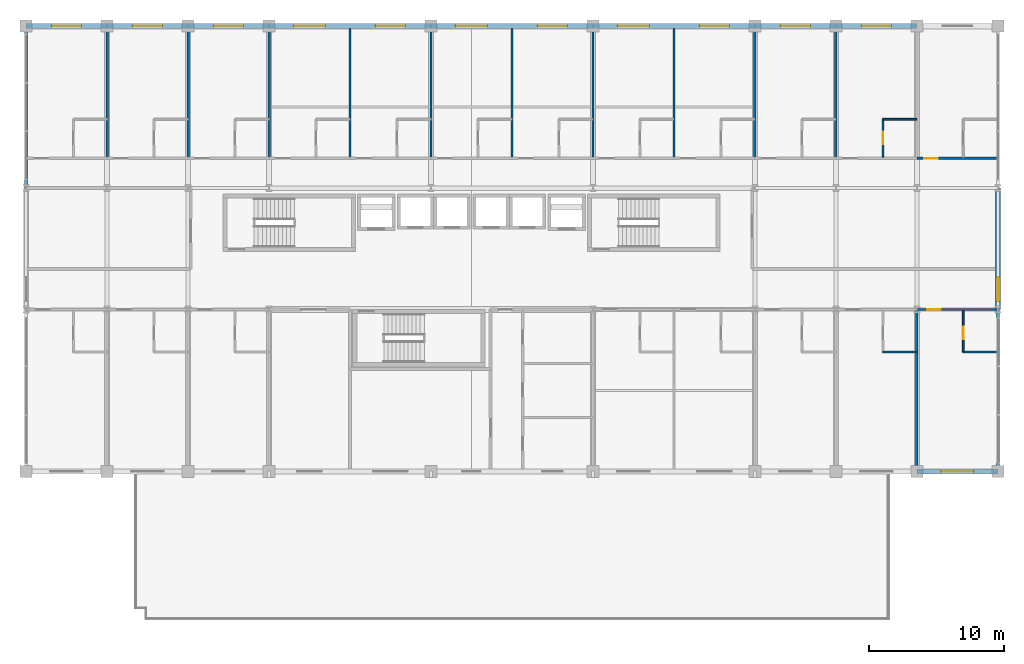
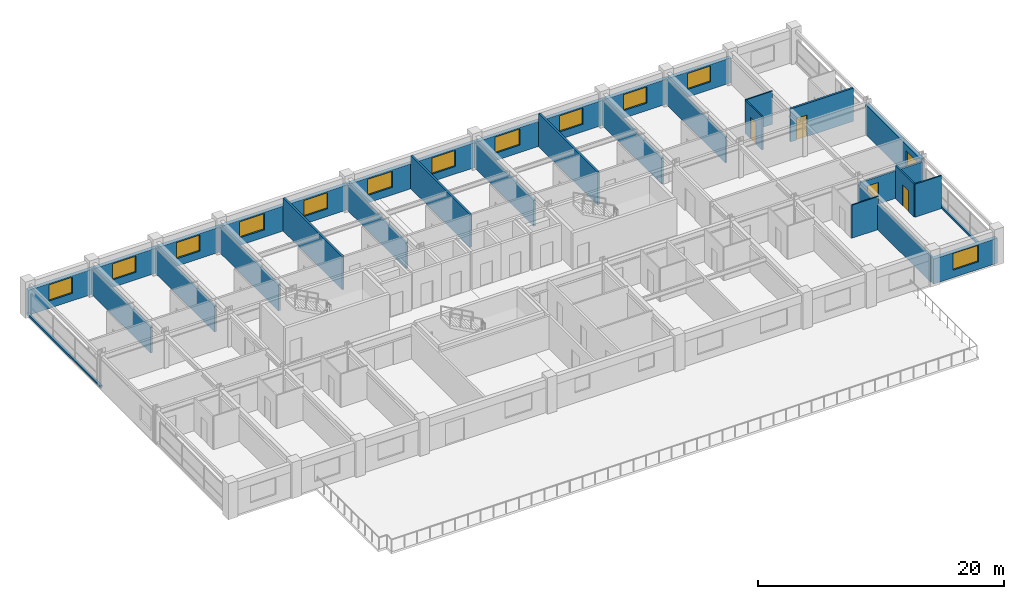
# One storey, part 20 of 24: 30 walls, 13 windows, 4 doors, 17 openings.
"""IFC4 building model written with IfcOpenShell, lengths in metres."""

from ifc_helpers import new_model, si_unit, direction, frame, frame_2d, origin, place, context, subcontext, project, spatial, rectangle, extrude, material, layer, layer_set, type_object, element, fill, save


model = new_model("IFC4")

# Units and contexts
model_context = context("Model", 3, precision=1e-05, world=origin(), true_north=direction((0.0, 1.0)))
body_context = subcontext(model_context, "Body", "Model", "MODEL_VIEW")
ifc_project = project(units=[si_unit("LENGTHUNIT", "METRE"), si_unit("AREAUNIT", "SQUARE_METRE"), si_unit("VOLUMEUNIT", "CUBIC_METRE"), si_unit("PLANEANGLEUNIT", "RADIAN"), si_unit("MASSUNIT", "GRAM", prefix="KILO")], contexts=[model_context])

# Site, building, storey
site_placement = place(None, origin())
site = spatial("IfcSite", under=ifc_project, at=site_placement, CompositionType="ELEMENT")
building_placement = place(site_placement, origin())
building = spatial("IfcBuilding", under=site, at=building_placement, Name="Kaldorvane Square Convention Centre", CompositionType="ELEMENT")
storey_placement = place(building_placement, frame((0.0, 0.0, 27.600006103515625)))
storey = spatial("IfcBuildingStorey", under=building, at=storey_placement, Name="L05", CompositionType="ELEMENT", Elevation=27.600006103515625)

# Wall, opening, door
ifc_material_1 = material(Name="Fire-Rated Gypsum Board on Acoustic Steel Studs", Category="steel")
ifc_layer_1 = layer(ifc_material_1, 0.125)
ifc_layer_set_1 = layer_set([ifc_layer_1], Name="Fire-Rated Gypsum Board on Acoustic Steel Studs")
wall_type_1 = type_object("IfcWallType", Name="WL-BATH-125", PredefinedType="PARTITIONING", material=ifc_layer_set_1)
wall_1_placement = place(storey_placement, frame((87.47999572753906, 107.28999328613281, 0.0), z_axis=(0.0, 0.0, 1.0), x_axis=(0.0, 1.0, 0.0)))
wall_1 = element("IfcWall", 1, at=wall_1_placement, inside=storey, type_object=wall_type_1, Name="En-Suite 511 West Wall", PredefinedType="PARTITIONING", context=body_context, shape_type="SweptSolid", body=[
    extrude(rectangle(XDim=2.8100128173828125, YDim=0.125, at=frame_2d((1.404998779296875, 0.0))), origin(), (0.0, 0.0, 1.0), 3.2899932861328125),
])
opening_1_placement = place(wall_1_placement, frame((0.9499969482421875, 0.0, 0.0)))
opening_1 = element("IfcOpeningElement", 2, at=opening_1_placement, cuts=wall_1, Name="Opening ID-12", PredefinedType="OPENING", context=body_context, shape_type="SweptSolid", body=[
    extrude(rectangle(XDim=0.9199981689453125, YDim=2.100006103515625, at=frame_2d((0.459991455078125, 1.0500030517578125))), frame((0.0, 0.0774993896484375, 0.0), z_axis=(0.0, -1.0, 0.0), x_axis=(1.0, 0.0, 0.0)), (0.0, 0.0, 1.0), 0.154998779296875),
])
ifc_material_2 = material(Name="Architectural Solid-Core White Oak")
door_type_1 = type_object("IfcDoorType", Name="DR-BATH-0920X2100", OperationType="SINGLE_SWING_RIGHT", PredefinedType="DOOR", material=ifc_material_2)
door_1_placement = place(opening_1_placement, origin())
door_1 = element("IfcDoor", 3, at=door_1_placement, inside=storey, type_object=door_type_1, Name="En-Suite Bathroom 511 Door", OperationType="SINGLE_SWING_RIGHT", OverallHeight=2.100006103515625, OverallWidth=0.9199981689453125, PredefinedType="DOOR", context=body_context, shape_type="SweptSolid", body=[
    extrude(rectangle(XDim=0.9199981689453125, YDim=2.100006103515625, at=frame_2d((0.459991455078125, 1.0500030517578125))), frame((0.0, 0.024993896484375, 0.0), z_axis=(0.0, -1.0, 0.0), x_axis=(1.0, 0.0, 0.0)), (0.0, 0.0, 1.0), 0.0500030517578125),
])
fill(opening_1, door_1)

# Walls
for number, where, z_axis, x_axis, name in (
    (4, (87.47999572753906, 110.10000610351562, 0.0), (0.0, 0.0, 1.0), (1.0, 0.0, 0.0), "En-Suite 511 North Wall"),
    (5, (87.47999572753906, 92.85000610351562, 0.0), (0.0, 0.0, 1.0), (1.0, 0.0, 0.0), "En-Suite 519 South Wall"),
):
    element("IfcWall", number, at=place(storey_placement, frame(where, z_axis=z_axis, x_axis=x_axis)), inside=storey, type_object=wall_type_1, Name=name, PredefinedType="PARTITIONING", context=body_context, shape_type="SweptSolid", body=[
        extrude(rectangle(XDim=2.5200042724609375, YDim=0.125, at=frame_2d((1.260009765625, 0.0))), origin(), (0.0, 0.0, 1.0), 3.2899932861328125),
    ])

# Wall, opening, door
wall_2_placement = place(storey_placement, frame((93.43499755859375, 92.85000610351562, 0.0), z_axis=(0.0, 0.0, 1.0), x_axis=(0.0, 1.0, 0.0)))
wall_2 = element("IfcWall", 6, at=wall_2_placement, inside=storey, type_object=wall_type_1, Name="En-Suite 520 West Wall", PredefinedType="PARTITIONING", context=body_context, shape_type="SweptSolid", body=[
    extrude(rectangle(XDim=3.05999755859375, YDim=0.125, at=frame_2d((1.529998779296875, 0.0))), origin(), (0.0, 0.0, 1.0), 3.2899932861328125),
])
opening_2_placement = place(wall_2_placement, frame((0.9499969482421875, 0.0, 0.0)))
opening_2 = element("IfcOpeningElement", 7, at=opening_2_placement, cuts=wall_2, Name="Opening ID-12", PredefinedType="OPENING", context=body_context, shape_type="SweptSolid", body=[
    extrude(rectangle(XDim=0.9199981689453125, YDim=2.100006103515625, at=frame_2d((0.459991455078125, 1.0500030517578125))), frame((0.0, 0.0774993896484375, 0.0), z_axis=(0.0, -1.0, 0.0), x_axis=(1.0, 0.0, 0.0)), (0.0, 0.0, 1.0), 0.154998779296875),
])
door_2_placement = place(opening_2_placement, origin())
door_2 = element("IfcDoor", 8, at=door_2_placement, inside=storey, type_object=door_type_1, Name="En-Suite Bathroom 520 Door", OperationType="SINGLE_SWING_RIGHT", OverallHeight=2.100006103515625, OverallWidth=0.9199981689453125, PredefinedType="DOOR", context=body_context, shape_type="SweptSolid", body=[
    extrude(rectangle(XDim=0.9199981689453125, YDim=2.100006103515625, at=frame_2d((0.459991455078125, 1.0500030517578125))), frame((0.0, 0.024993896484375, 0.0), z_axis=(0.0, -1.0, 0.0), x_axis=(1.0, 0.0, 0.0)), (0.0, 0.0, 1.0), 0.0500030517578125),
])
fill(opening_2, door_2)

# Wall
wall_3_placement = place(storey_placement, frame((93.43499755859375, 92.85000610351562, 0.0), z_axis=(0.0, 0.0, 1.0), x_axis=(1.0, 0.0, 0.0)))
element("IfcWall", 9, at=wall_3_placement, inside=storey, type_object=wall_type_1, Name="En-Suite 520 South Wall", PredefinedType="PARTITIONING", context=body_context, shape_type="SweptSolid", body=[
    extrude(rectangle(XDim=2.4799957275390625, YDim=0.125, at=frame_2d((1.239990234375, 0.0))), origin(), (0.0, 0.0, 1.0), 3.2899932861328125),
])

# Wall, opening, window
ifc_material_3 = material(Name="Concrete f'c = 42 MPa (Normalweight)", Category="concrete")
ifc_layer_2 = layer(ifc_material_3, 0.350006103515625)
ifc_layer_set_2 = layer_set([ifc_layer_2], Name="Concrete f'c = 42 MPa (Normalweight)")
wall_type_2 = type_object("IfcWallType", Name="WL-EXT-350", PredefinedType="STANDARD", material=ifc_layer_set_2)
wall_4_placement = place(storey_placement, frame((90.0, 84.0, 0.0), z_axis=(0.0, 0.0, 1.0), x_axis=(1.0, 0.0, 0.0)))
wall_4 = element("IfcWall", 10, at=wall_4_placement, inside=storey, type_object=wall_type_2, Name="Hotel S Brutalist Facade Wall (L05)", PredefinedType="STANDARD", context=body_context, shape_type="SweptSolid", body=[
    extrude(rectangle(XDim=6.0, YDim=0.350006103515625, at=frame_2d((3.0, 0.0))), origin(), (0.0, 0.0, 1.0), 2.485992431640625),
])
opening_3_placement = place(wall_4_placement, frame((1.8000030517578125, 0.0, 0.75)))
opening_3 = element("IfcOpeningElement", 11, at=opening_3_placement, cuts=wall_4, Name="Opening W-01", PredefinedType="OPENING", context=body_context, shape_type="SweptSolid", body=[
    extrude(rectangle(XDim=2.399993896484375, YDim=1.649993896484375, at=frame_2d((1.1999969482421875, 0.8249969482421875))), frame((0.0, 0.19000244140625, 0.0), z_axis=(0.0, -1.0, 0.0), x_axis=(1.0, 0.0, 0.0)), (0.0, 0.0, 1.0), 0.3800048828125),
])
ifc_material_4 = material(Name="Anodized Aluminum and Low-E Insulated Glazing", Category="aluminium")
window_type_1 = type_object("IfcWindowType", Name="WN-HTL-2400X1650", PartitioningType="DOUBLE_PANEL_VERTICAL", PredefinedType="WINDOW", material=ifc_material_4)
window_1_placement = place(opening_3_placement, origin())
window_1 = element("IfcWindow", 12, at=window_1_placement, inside=storey, type_object=window_type_1, Name="Hotel S Window (L05)", OverallHeight=1.649993896484375, OverallWidth=2.399993896484375, PartitioningType="DOUBLE_PANEL_VERTICAL", PredefinedType="WINDOW", context=body_context, shape_type="SweptSolid", body=[
    extrude(rectangle(XDim=2.399993896484375, YDim=1.649993896484375, at=frame_2d((1.1999969482421875, 0.8249969482421875))), frame((0.0, 0.029998779296875, 0.0), z_axis=(0.0, -1.0, 0.0), x_axis=(1.0, 0.0, 0.0)), (0.0, 0.0, 1.0), 0.05999755859375),
])
fill(opening_3, window_1)

wall_5_placement = place(storey_placement, frame((30.0, 117.0, 0.0), z_axis=(0.0, 0.0, 1.0), x_axis=(-1.0, 0.0, 0.0)))
wall_5 = element("IfcWall", 13, at=wall_5_placement, inside=storey, type_object=wall_type_2, Name="Hotel N Brutalist Facade Wall (L05)", PredefinedType="STANDARD", context=body_context, shape_type="SweptSolid", body=[
    extrude(rectangle(XDim=6.0, YDim=0.350006103515625, at=frame_2d((3.0, 0.0))), origin(), (0.0, 0.0, 1.0), 2.485992431640625),
])
opening_4_placement = place(wall_5_placement, frame((1.899993896484375, 0.0, 0.75)))
opening_4 = element("IfcOpeningElement", 14, at=opening_4_placement, cuts=wall_5, Name="Opening W-07", PredefinedType="OPENING", context=body_context, shape_type="SweptSolid", body=[
    extrude(rectangle(XDim=2.1999969482421875, YDim=1.600006103515625, at=frame_2d((1.100006103515625, 0.8000030517578125))), frame((0.0, 0.19000244140625, 0.0), z_axis=(0.0, -1.0, 0.0), x_axis=(1.0, 0.0, 0.0)), (0.0, 0.0, 1.0), 0.3800048828125),
])
window_type_2 = type_object("IfcWindowType", Name="WN-HTL-2200X1600", PartitioningType="DOUBLE_PANEL_VERTICAL", PredefinedType="WINDOW", material=ifc_material_4)
window_2_placement = place(opening_4_placement, origin())
window_2 = element("IfcWindow", 15, at=window_2_placement, inside=storey, type_object=window_type_2, Name="Hotel N Window (L05)", OverallHeight=1.600006103515625, OverallWidth=2.1999969482421875, PartitioningType="DOUBLE_PANEL_VERTICAL", PredefinedType="WINDOW", context=body_context, shape_type="SweptSolid", body=[
    extrude(rectangle(XDim=2.1999969482421875, YDim=1.600006103515625, at=frame_2d((1.100006103515625, 0.8000030517578125))), frame((0.0, 0.029998779296875, 0.0), z_axis=(0.0, -1.0, 0.0), x_axis=(1.0, 0.0, 0.0)), (0.0, 0.0, 1.0), 0.05999755859375),
])
fill(opening_4, window_2)

wall_6_placement = place(storey_placement, frame((36.0, 117.0, 0.0), z_axis=(0.0, 0.0, 1.0), x_axis=(-1.0, 0.0, 0.0)))
wall_6 = element("IfcWall", 16, at=wall_6_placement, inside=storey, type_object=wall_type_2, Name="Hotel N Brutalist Facade Wall (L05)", PredefinedType="STANDARD", context=body_context, shape_type="SweptSolid", body=[
    extrude(rectangle(XDim=6.0, YDim=0.350006103515625, at=frame_2d((3.0, 0.0))), origin(), (0.0, 0.0, 1.0), 2.485992431640625),
])
opening_5_placement = place(wall_6_placement, frame((1.899993896484375, 0.0, 0.75)))
opening_5 = element("IfcOpeningElement", 17, at=opening_5_placement, cuts=wall_6, Name="Opening W-07", PredefinedType="OPENING", context=body_context, shape_type="SweptSolid", body=[
    extrude(rectangle(XDim=2.1999969482421875, YDim=1.600006103515625, at=frame_2d((1.100006103515625, 0.8000030517578125))), frame((0.0, 0.19000244140625, 0.0), z_axis=(0.0, -1.0, 0.0), x_axis=(1.0, 0.0, 0.0)), (0.0, 0.0, 1.0), 0.3800048828125),
])
window_3_placement = place(opening_5_placement, origin())
window_3 = element("IfcWindow", 18, at=window_3_placement, inside=storey, type_object=window_type_2, Name="Hotel N Window (L05)", OverallHeight=1.600006103515625, OverallWidth=2.1999969482421875, PartitioningType="DOUBLE_PANEL_VERTICAL", PredefinedType="WINDOW", context=body_context, shape_type="SweptSolid", body=[
    extrude(rectangle(XDim=2.1999969482421875, YDim=1.600006103515625, at=frame_2d((1.100006103515625, 0.8000030517578125))), frame((0.0, 0.029998779296875, 0.0), z_axis=(0.0, -1.0, 0.0), x_axis=(1.0, 0.0, 0.0)), (0.0, 0.0, 1.0), 0.05999755859375),
])
fill(opening_5, window_3)

wall_7_placement = place(storey_placement, frame((42.0, 117.0, 0.0), z_axis=(0.0, 0.0, 1.0), x_axis=(-1.0, 0.0, 0.0)))
wall_7 = element("IfcWall", 19, at=wall_7_placement, inside=storey, type_object=wall_type_2, Name="Hotel N Brutalist Facade Wall (L05)", PredefinedType="STANDARD", context=body_context, shape_type="SweptSolid", body=[
    extrude(rectangle(XDim=6.0, YDim=0.350006103515625, at=frame_2d((3.0, 0.0))), origin(), (0.0, 0.0, 1.0), 2.485992431640625),
])
opening_6_placement = place(wall_7_placement, frame((1.899993896484375, 0.0, 0.75)))
opening_6 = element("IfcOpeningElement", 20, at=opening_6_placement, cuts=wall_7, Name="Opening W-07", PredefinedType="OPENING", context=body_context, shape_type="SweptSolid", body=[
    extrude(rectangle(XDim=2.1999969482421875, YDim=1.600006103515625, at=frame_2d((1.100006103515625, 0.8000030517578125))), frame((0.0, 0.19000244140625, 0.0), z_axis=(0.0, -1.0, 0.0), x_axis=(1.0, 0.0, 0.0)), (0.0, 0.0, 1.0), 0.3800048828125),
])
window_4_placement = place(opening_6_placement, origin())
window_4 = element("IfcWindow", 21, at=window_4_placement, inside=storey, type_object=window_type_2, Name="Hotel N Window (L05)", OverallHeight=1.600006103515625, OverallWidth=2.1999969482421875, PartitioningType="DOUBLE_PANEL_VERTICAL", PredefinedType="WINDOW", context=body_context, shape_type="SweptSolid", body=[
    extrude(rectangle(XDim=2.1999969482421875, YDim=1.600006103515625, at=frame_2d((1.100006103515625, 0.8000030517578125))), frame((0.0, 0.029998779296875, 0.0), z_axis=(0.0, -1.0, 0.0), x_axis=(1.0, 0.0, 0.0)), (0.0, 0.0, 1.0), 0.05999755859375),
])
fill(opening_6, window_4)

# Wall, openings, windows
wall_8_placement = place(storey_placement, frame((54.0, 117.0, 0.0), z_axis=(0.0, 0.0, 1.0), x_axis=(-1.0, 0.0, 0.0)))
wall_8 = element("IfcWall", 22, at=wall_8_placement, inside=storey, type_object=wall_type_2, Name="Hotel N Brutalist Facade Wall (L05)", PredefinedType="STANDARD", context=body_context, shape_type="SweptSolid", body=[
    extrude(rectangle(XDim=12.0, YDim=0.350006103515625, at=frame_2d((6.0, 0.0))), origin(), (0.0, 0.0, 1.0), 2.485992431640625),
])
opening_7_placement = place(wall_8_placement, frame((1.899993896484375, 0.0, 0.75)))
opening_7 = element("IfcOpeningElement", 23, at=opening_7_placement, cuts=wall_8, Name="Opening W-07", PredefinedType="OPENING", context=body_context, shape_type="SweptSolid", body=[
    extrude(rectangle(XDim=2.1999969482421875, YDim=1.600006103515625, at=frame_2d((1.100006103515625, 0.8000030517578125))), frame((0.0, 0.19000244140625, 0.0), z_axis=(0.0, -1.0, 0.0), x_axis=(1.0, 0.0, 0.0)), (0.0, 0.0, 1.0), 0.3800048828125),
])
opening_8_placement = place(wall_8_placement, frame((7.8249969482421875, 0.0, 0.75)))
opening_8 = element("IfcOpeningElement", 24, at=opening_8_placement, cuts=wall_8, Name="Opening W-08", PredefinedType="OPENING", context=body_context, shape_type="SweptSolid", body=[
    extrude(rectangle(XDim=2.350006103515625, YDim=1.600006103515625, at=frame_2d((1.1750030517578125, 0.8000030517578125))), frame((0.0, 0.19000244140625, 0.0), z_axis=(0.0, -1.0, 0.0), x_axis=(1.0, 0.0, 0.0)), (0.0, 0.0, 1.0), 0.3800048828125),
])
window_5_placement = place(opening_7_placement, origin())
window_5 = element("IfcWindow", 25, at=window_5_placement, inside=storey, type_object=window_type_2, Name="Hotel N Window (L05)", OverallHeight=1.600006103515625, OverallWidth=2.1999969482421875, PartitioningType="DOUBLE_PANEL_VERTICAL", PredefinedType="WINDOW", context=body_context, shape_type="SweptSolid", body=[
    extrude(rectangle(XDim=2.1999969482421875, YDim=1.600006103515625, at=frame_2d((1.100006103515625, 0.8000030517578125))), frame((0.0, 0.029998779296875, 0.0), z_axis=(0.0, -1.0, 0.0), x_axis=(1.0, 0.0, 0.0)), (0.0, 0.0, 1.0), 0.05999755859375),
])
fill(opening_7, window_5)
window_type_3 = type_object("IfcWindowType", Name="WN-HTL-2350X1600", PartitioningType="DOUBLE_PANEL_VERTICAL", PredefinedType="WINDOW", material=ifc_material_4)
window_6_placement = place(opening_8_placement, origin())
window_6 = element("IfcWindow", 26, at=window_6_placement, inside=storey, type_object=window_type_3, Name="Hotel N Window (L05)", OverallHeight=1.600006103515625, OverallWidth=2.350006103515625, PartitioningType="DOUBLE_PANEL_VERTICAL", PredefinedType="WINDOW", context=body_context, shape_type="SweptSolid", body=[
    extrude(rectangle(XDim=2.350006103515625, YDim=1.600006103515625, at=frame_2d((1.1750030517578125, 0.8000030517578125))), frame((0.0, 0.029998779296875, 0.0), z_axis=(0.0, -1.0, 0.0), x_axis=(1.0, 0.0, 0.0)), (0.0, 0.0, 1.0), 0.05999755859375),
])
fill(opening_8, window_6)

wall_9_placement = place(storey_placement, frame((66.0, 117.0, 0.0), z_axis=(0.0, 0.0, 1.0), x_axis=(-1.0, 0.0, 0.0)))
wall_9 = element("IfcWall", 27, at=wall_9_placement, inside=storey, type_object=wall_type_2, Name="Hotel N Brutalist Facade Wall (L05)", PredefinedType="STANDARD", context=body_context, shape_type="SweptSolid", body=[
    extrude(rectangle(XDim=12.0, YDim=0.350006103515625, at=frame_2d((6.0, 0.0))), origin(), (0.0, 0.0, 1.0), 2.485992431640625),
])
opening_9_placement = place(wall_9_placement, frame((1.899993896484375, 0.0, 0.75)))
opening_9 = element("IfcOpeningElement", 28, at=opening_9_placement, cuts=wall_9, Name="Opening W-07", PredefinedType="OPENING", context=body_context, shape_type="SweptSolid", body=[
    extrude(rectangle(XDim=2.1999969482421875, YDim=1.600006103515625, at=frame_2d((1.100006103515625, 0.8000030517578125))), frame((0.0, 0.19000244140625, 0.0), z_axis=(0.0, -1.0, 0.0), x_axis=(1.0, 0.0, 0.0)), (0.0, 0.0, 1.0), 0.3800048828125),
])
opening_10_placement = place(wall_9_placement, frame((7.8249969482421875, 0.0, 0.75)))
opening_10 = element("IfcOpeningElement", 29, at=opening_10_placement, cuts=wall_9, Name="Opening W-08", PredefinedType="OPENING", context=body_context, shape_type="SweptSolid", body=[
    extrude(rectangle(XDim=2.350006103515625, YDim=1.600006103515625, at=frame_2d((1.1750030517578125, 0.8000030517578125))), frame((0.0, 0.19000244140625, 0.0), z_axis=(0.0, -1.0, 0.0), x_axis=(1.0, 0.0, 0.0)), (0.0, 0.0, 1.0), 0.3800048828125),
])
window_7_placement = place(opening_9_placement, origin())
window_7 = element("IfcWindow", 30, at=window_7_placement, inside=storey, type_object=window_type_2, Name="Hotel N Window (L05)", OverallHeight=1.600006103515625, OverallWidth=2.1999969482421875, PartitioningType="DOUBLE_PANEL_VERTICAL", PredefinedType="WINDOW", context=body_context, shape_type="SweptSolid", body=[
    extrude(rectangle(XDim=2.1999969482421875, YDim=1.600006103515625, at=frame_2d((1.100006103515625, 0.8000030517578125))), frame((0.0, 0.029998779296875, 0.0), z_axis=(0.0, -1.0, 0.0), x_axis=(1.0, 0.0, 0.0)), (0.0, 0.0, 1.0), 0.05999755859375),
])
fill(opening_9, window_7)
window_8_placement = place(opening_10_placement, origin())
window_8 = element("IfcWindow", 31, at=window_8_placement, inside=storey, type_object=window_type_3, Name="Hotel N Window (L05)", OverallHeight=1.600006103515625, OverallWidth=2.350006103515625, PartitioningType="DOUBLE_PANEL_VERTICAL", PredefinedType="WINDOW", context=body_context, shape_type="SweptSolid", body=[
    extrude(rectangle(XDim=2.350006103515625, YDim=1.600006103515625, at=frame_2d((1.1750030517578125, 0.8000030517578125))), frame((0.0, 0.029998779296875, 0.0), z_axis=(0.0, -1.0, 0.0), x_axis=(1.0, 0.0, 0.0)), (0.0, 0.0, 1.0), 0.05999755859375),
])
fill(opening_10, window_8)

wall_10_placement = place(storey_placement, frame((78.0, 117.0, 0.0), z_axis=(0.0, 0.0, 1.0), x_axis=(-1.0, 0.0, 0.0)))
wall_10 = element("IfcWall", 32, at=wall_10_placement, inside=storey, type_object=wall_type_2, Name="Hotel N Brutalist Facade Wall (L05)", PredefinedType="STANDARD", context=body_context, shape_type="SweptSolid", body=[
    extrude(rectangle(XDim=12.0, YDim=0.350006103515625, at=frame_2d((6.0, 0.0))), origin(), (0.0, 0.0, 1.0), 2.485992431640625),
])
opening_11_placement = place(wall_10_placement, frame((1.899993896484375, 0.0, 0.75)))
opening_11 = element("IfcOpeningElement", 33, at=opening_11_placement, cuts=wall_10, Name="Opening W-07", PredefinedType="OPENING", context=body_context, shape_type="SweptSolid", body=[
    extrude(rectangle(XDim=2.1999969482421875, YDim=1.600006103515625, at=frame_2d((1.100006103515625, 0.8000030517578125))), frame((0.0, 0.19000244140625, 0.0), z_axis=(0.0, -1.0, 0.0), x_axis=(1.0, 0.0, 0.0)), (0.0, 0.0, 1.0), 0.3800048828125),
])
opening_12_placement = place(wall_10_placement, frame((7.8249969482421875, 0.0, 0.75)))
opening_12 = element("IfcOpeningElement", 34, at=opening_12_placement, cuts=wall_10, Name="Opening W-08", PredefinedType="OPENING", context=body_context, shape_type="SweptSolid", body=[
    extrude(rectangle(XDim=2.350006103515625, YDim=1.600006103515625, at=frame_2d((1.1750030517578125, 0.8000030517578125))), frame((0.0, 0.19000244140625, 0.0), z_axis=(0.0, -1.0, 0.0), x_axis=(1.0, 0.0, 0.0)), (0.0, 0.0, 1.0), 0.3800048828125),
])
window_9_placement = place(opening_11_placement, origin())
window_9 = element("IfcWindow", 35, at=window_9_placement, inside=storey, type_object=window_type_2, Name="Hotel N Window (L05)", OverallHeight=1.600006103515625, OverallWidth=2.1999969482421875, PartitioningType="DOUBLE_PANEL_VERTICAL", PredefinedType="WINDOW", context=body_context, shape_type="SweptSolid", body=[
    extrude(rectangle(XDim=2.1999969482421875, YDim=1.600006103515625, at=frame_2d((1.100006103515625, 0.8000030517578125))), frame((0.0, 0.029998779296875, 0.0), z_axis=(0.0, -1.0, 0.0), x_axis=(1.0, 0.0, 0.0)), (0.0, 0.0, 1.0), 0.05999755859375),
])
fill(opening_11, window_9)
window_10_placement = place(opening_12_placement, origin())
window_10 = element("IfcWindow", 36, at=window_10_placement, inside=storey, type_object=window_type_3, Name="Hotel N Window (L05)", OverallHeight=1.600006103515625, OverallWidth=2.350006103515625, PartitioningType="DOUBLE_PANEL_VERTICAL", PredefinedType="WINDOW", context=body_context, shape_type="SweptSolid", body=[
    extrude(rectangle(XDim=2.350006103515625, YDim=1.600006103515625, at=frame_2d((1.1750030517578125, 0.8000030517578125))), frame((0.0, 0.029998779296875, 0.0), z_axis=(0.0, -1.0, 0.0), x_axis=(1.0, 0.0, 0.0)), (0.0, 0.0, 1.0), 0.05999755859375),
])
fill(opening_12, window_10)

# Wall, opening, window
wall_11_placement = place(storey_placement, frame((84.0, 117.0, 0.0), z_axis=(0.0, 0.0, 1.0), x_axis=(-1.0, 0.0, 0.0)))
wall_11 = element("IfcWall", 37, at=wall_11_placement, inside=storey, type_object=wall_type_2, Name="Hotel N Brutalist Facade Wall (L05)", PredefinedType="STANDARD", context=body_context, shape_type="SweptSolid", body=[
    extrude(rectangle(XDim=6.0, YDim=0.350006103515625, at=frame_2d((3.0, 0.0))), origin(), (0.0, 0.0, 1.0), 2.485992431640625),
])
opening_13_placement = place(wall_11_placement, frame((1.899993896484375, 0.0, 0.75)))
opening_13 = element("IfcOpeningElement", 38, at=opening_13_placement, cuts=wall_11, Name="Opening W-07", PredefinedType="OPENING", context=body_context, shape_type="SweptSolid", body=[
    extrude(rectangle(XDim=2.1999969482421875, YDim=1.600006103515625, at=frame_2d((1.100006103515625, 0.8000030517578125))), frame((0.0, 0.19000244140625, 0.0), z_axis=(0.0, -1.0, 0.0), x_axis=(1.0, 0.0, 0.0)), (0.0, 0.0, 1.0), 0.3800048828125),
])
window_11_placement = place(opening_13_placement, origin())
window_11 = element("IfcWindow", 39, at=window_11_placement, inside=storey, type_object=window_type_2, Name="Hotel N Window (L05)", OverallHeight=1.600006103515625, OverallWidth=2.1999969482421875, PartitioningType="DOUBLE_PANEL_VERTICAL", PredefinedType="WINDOW", context=body_context, shape_type="SweptSolid", body=[
    extrude(rectangle(XDim=2.1999969482421875, YDim=1.600006103515625, at=frame_2d((1.100006103515625, 0.8000030517578125))), frame((0.0, 0.029998779296875, 0.0), z_axis=(0.0, -1.0, 0.0), x_axis=(1.0, 0.0, 0.0)), (0.0, 0.0, 1.0), 0.05999755859375),
])
fill(opening_13, window_11)

wall_12_placement = place(storey_placement, frame((90.0, 117.0, 0.0), z_axis=(0.0, 0.0, 1.0), x_axis=(-1.0, 0.0, 0.0)))
wall_12 = element("IfcWall", 40, at=wall_12_placement, inside=storey, type_object=wall_type_2, Name="Hotel N Brutalist Facade Wall (L05)", PredefinedType="STANDARD", context=body_context, shape_type="SweptSolid", body=[
    extrude(rectangle(XDim=6.0, YDim=0.350006103515625, at=frame_2d((3.0, 0.0))), origin(), (0.0, 0.0, 1.0), 2.485992431640625),
])
opening_14_placement = place(wall_12_placement, frame((1.899993896484375, 0.0, 0.75)))
opening_14 = element("IfcOpeningElement", 41, at=opening_14_placement, cuts=wall_12, Name="Opening W-07", PredefinedType="OPENING", context=body_context, shape_type="SweptSolid", body=[
    extrude(rectangle(XDim=2.1999969482421875, YDim=1.600006103515625, at=frame_2d((1.100006103515625, 0.8000030517578125))), frame((0.0, 0.19000244140625, 0.0), z_axis=(0.0, -1.0, 0.0), x_axis=(1.0, 0.0, 0.0)), (0.0, 0.0, 1.0), 0.3800048828125),
])
window_12_placement = place(opening_14_placement, origin())
window_12 = element("IfcWindow", 42, at=window_12_placement, inside=storey, type_object=window_type_2, Name="Hotel N Window (L05)", OverallHeight=1.600006103515625, OverallWidth=2.1999969482421875, PartitioningType="DOUBLE_PANEL_VERTICAL", PredefinedType="WINDOW", context=body_context, shape_type="SweptSolid", body=[
    extrude(rectangle(XDim=2.1999969482421875, YDim=1.600006103515625, at=frame_2d((1.100006103515625, 0.8000030517578125))), frame((0.0, 0.029998779296875, 0.0), z_axis=(0.0, -1.0, 0.0), x_axis=(1.0, 0.0, 0.0)), (0.0, 0.0, 1.0), 0.05999755859375),
])
fill(opening_14, window_12)

wall_13_placement = place(storey_placement, frame((96.0, 96.0, 0.0), z_axis=(0.0, 0.0, 1.0), x_axis=(0.0, 1.0, 0.0)))
wall_13 = element("IfcWall", 43, at=wall_13_placement, inside=storey, type_object=wall_type_2, Name="Hotel E End Wall (L05)", PredefinedType="STANDARD", context=body_context, shape_type="SweptSolid", body=[
    extrude(rectangle(XDim=9.0, YDim=0.350006103515625, at=frame_2d((4.5, 0.0))), origin(), (0.0, 0.0, 1.0), 2.980987548828125),
])
opening_15_placement = place(wall_13_placement, frame((0.600006103515625, 0.0, 0.850006103515625)))
opening_15 = element("IfcOpeningElement", 44, at=opening_15_placement, cuts=wall_13, Name="Opening W-11", PredefinedType="OPENING", context=body_context, shape_type="SweptSolid", body=[
    extrude(rectangle(XDim=1.8000030517578125, YDim=1.5, at=frame_2d((0.899993896484375, 0.75))), frame((0.0, 0.19000244140625, 0.0), z_axis=(0.0, -1.0, 0.0), x_axis=(1.0, 0.0, 0.0)), (0.0, 0.0, 1.0), 0.3800048828125),
])
window_type_4 = type_object("IfcWindowType", Name="WN-HTL-1800X1500", PartitioningType="SINGLE_PANEL", PredefinedType="WINDOW", material=ifc_material_4)
window_13_placement = place(opening_15_placement, origin())
window_13 = element("IfcWindow", 45, at=window_13_placement, inside=storey, type_object=window_type_4, Name="Hotel End Window E (L05)", OverallHeight=1.5, OverallWidth=1.8000030517578125, PartitioningType="SINGLE_PANEL", PredefinedType="WINDOW", context=body_context, shape_type="SweptSolid", body=[
    extrude(rectangle(XDim=1.8000030517578125, YDim=1.5, at=frame_2d((0.899993896484375, 0.75))), frame((0.0, 0.029998779296875, 0.0), z_axis=(0.0, -1.0, 0.0), x_axis=(1.0, 0.0, 0.0)), (0.0, 0.0, 1.0), 0.05999755859375),
])
fill(opening_15, window_13)

# Walls
ifc_material_5 = material(Name="Concrete f'c = 35 MPa (Normalweight)", Category="concrete")
ifc_layer_3 = layer(ifc_material_5, 0.220001220703125)
ifc_layer_set_3 = layer_set([ifc_layer_3], Name="Concrete f'c = 35 MPa (Normalweight)")
wall_type_3 = type_object("IfcWallType", Name="WL-PAR-220", PredefinedType="PARAPET", material=ifc_layer_set_3)
for number, where, z_axis, x_axis, name in (
    (46, (24.0, 117.0, 0.0), (0.0, 0.0, 1.0), (0.0, -1.0, 0.0), "Hotel End Curtain-Wall Sill (L05)"),
    (47, (96.0, 84.0, 0.0), (0.0, 0.0, 1.0), (0.0, 1.0, 0.0), "Hotel End Curtain-Wall Sill (L05)"),
):
    element("IfcWall", number, at=place(storey_placement, frame(where, z_axis=z_axis, x_axis=x_axis)), inside=storey, type_object=wall_type_3, Name=name, PredefinedType="PARAPET", context=body_context, shape_type="SweptSolid", body=[
        extrude(rectangle(XDim=12.0, YDim=0.220001220703125, at=frame_2d((6.0, 0.0))), origin(), (0.0, 0.0, 1.0), 0.1999969482421875),
    ])
ifc_layer_4 = layer(ifc_material_1, 0.17999267578125)
ifc_layer_set_4 = layer_set([ifc_layer_4], Name="Fire-Rated Gypsum Board on Acoustic Steel Studs")
wall_type_4 = type_object("IfcWallType", Name="WL-UNIT-180", PredefinedType="PARTITIONING", material=ifc_layer_set_4)
for number, where, z_axis, x_axis, name in (
    (48, (30.0, 107.19999694824219, 0.0), (0.0, 0.0, 1.0), (0.0, 1.0, 0.0), "Guestroom Demising Wall 501"),
    (49, (36.0, 107.19999694824219, 0.0), (0.0, 0.0, 1.0), (0.0, 1.0, 0.0), "Guestroom Demising Wall 502"),
    (50, (42.0, 107.19999694824219, 0.0), (0.0, 0.0, 1.0), (0.0, 1.0, 0.0), "Guestroom Demising Wall 503"),
):
    element("IfcWall", number, at=place(storey_placement, frame(where, z_axis=z_axis, x_axis=x_axis)), inside=storey, type_object=wall_type_4, Name=name, PredefinedType="PARTITIONING", context=body_context, shape_type="SweptSolid", body=[
        extrude(rectangle(XDim=9.625, YDim=0.17999267578125, at=frame_2d((4.8125, 0.0))), origin(), (0.0, 0.0, 1.0), 2.589996337890625),
    ])
wall_14_placement = place(storey_placement, frame((48.0, 107.19999694824219, 0.0), z_axis=(0.0, 0.0, 1.0), x_axis=(0.0, 1.0, 0.0)))
element("IfcWall", 51, at=wall_14_placement, inside=storey, type_object=wall_type_4, Name="Guestroom Demising Wall 504", PredefinedType="PARTITIONING", context=body_context, shape_type="SweptSolid", body=[
    extrude(rectangle(XDim=9.625, YDim=0.17999267578125, at=frame_2d((4.8125, 0.0))), origin(), (0.0, 0.0, 1.0), 3.2899932861328125),
])
wall_15_placement = place(storey_placement, frame((54.0, 107.19999694824219, 0.0), z_axis=(0.0, 0.0, 1.0), x_axis=(0.0, 1.0, 0.0)))
element("IfcWall", 52, at=wall_15_placement, inside=storey, type_object=wall_type_4, Name="Guestroom Demising Wall 505", PredefinedType="PARTITIONING", context=body_context, shape_type="SweptSolid", body=[
    extrude(rectangle(XDim=9.625, YDim=0.17999267578125, at=frame_2d((4.8125, 0.0))), origin(), (0.0, 0.0, 1.0), 2.589996337890625),
])
wall_16_placement = place(storey_placement, frame((60.0, 107.19999694824219, 0.0), z_axis=(0.0, 0.0, 1.0), x_axis=(0.0, 1.0, 0.0)))
element("IfcWall", 53, at=wall_16_placement, inside=storey, type_object=wall_type_4, Name="Guestroom Demising Wall 506", PredefinedType="PARTITIONING", context=body_context, shape_type="SweptSolid", body=[
    extrude(rectangle(XDim=9.625, YDim=0.17999267578125, at=frame_2d((4.8125, 0.0))), origin(), (0.0, 0.0, 1.0), 3.2899932861328125),
])
wall_17_placement = place(storey_placement, frame((66.0, 107.19999694824219, 0.0), z_axis=(0.0, 0.0, 1.0), x_axis=(0.0, 1.0, 0.0)))
element("IfcWall", 54, at=wall_17_placement, inside=storey, type_object=wall_type_4, Name="Guestroom Demising Wall 507", PredefinedType="PARTITIONING", context=body_context, shape_type="SweptSolid", body=[
    extrude(rectangle(XDim=9.625, YDim=0.17999267578125, at=frame_2d((4.8125, 0.0))), origin(), (0.0, 0.0, 1.0), 2.589996337890625),
])
wall_18_placement = place(storey_placement, frame((72.0, 107.19999694824219, 0.0), z_axis=(0.0, 0.0, 1.0), x_axis=(0.0, 1.0, 0.0)))
element("IfcWall", 55, at=wall_18_placement, inside=storey, type_object=wall_type_4, Name="Guestroom Demising Wall 508", PredefinedType="PARTITIONING", context=body_context, shape_type="SweptSolid", body=[
    extrude(rectangle(XDim=9.625, YDim=0.17999267578125, at=frame_2d((4.8125, 0.0))), origin(), (0.0, 0.0, 1.0), 3.2899932861328125),
])
for number, where, z_axis, x_axis, name in (
    (56, (78.0, 107.19999694824219, 0.0), (0.0, 0.0, 1.0), (0.0, 1.0, 0.0), "Guestroom Demising Wall 509"),
    (57, (84.0, 107.19999694824219, 0.0), (0.0, 0.0, 1.0), (0.0, 1.0, 0.0), "Guestroom Demising Wall 510"),
):
    element("IfcWall", number, at=place(storey_placement, frame(where, z_axis=z_axis, x_axis=x_axis)), inside=storey, type_object=wall_type_4, Name=name, PredefinedType="PARTITIONING", context=body_context, shape_type="SweptSolid", body=[
        extrude(rectangle(XDim=9.625, YDim=0.17999267578125, at=frame_2d((4.8125, 0.0))), origin(), (0.0, 0.0, 1.0), 2.589996337890625),
    ])

# Wall, opening, door
wall_19_placement = place(storey_placement, frame((90.0, 107.19999694824219, 0.0), z_axis=(0.0, 0.0, 1.0), x_axis=(1.0, 0.0, 0.0)))
wall_19 = element("IfcWall", 58, at=wall_19_placement, inside=storey, type_object=wall_type_4, Name="Hotel Guest Room 512 Corridor Wall", PredefinedType="PARTITIONING", context=body_context, shape_type="SweptSolid", body=[
    extrude(rectangle(XDim=5.9149932861328125, YDim=0.17999267578125, at=frame_2d((2.957489013671875, 0.0))), origin(), (0.0, 0.0, 1.0), 3.2899932861328125),
])
opening_16_placement = place(wall_19_placement, frame((0.5500030517578125, 0.0, 0.0)))
opening_16 = element("IfcOpeningElement", 59, at=opening_16_placement, cuts=wall_19, Name="Opening ID-10", PredefinedType="OPENING", context=body_context, shape_type="SweptSolid", body=[
    extrude(rectangle(XDim=1.0, YDim=2.149993896484375, at=frame_2d((0.5, 1.0749969482421875))), frame((0.0, 0.1049957275390625, 0.0), z_axis=(0.0, -1.0, 0.0), x_axis=(1.0, 0.0, 0.0)), (0.0, 0.0, 1.0), 0.209991455078125),
])
door_type_2 = type_object("IfcDoorType", Name="DR-GUEST-1000X2150", OperationType="SINGLE_SWING_LEFT", PredefinedType="DOOR", material=ifc_material_2)
door_3_placement = place(opening_16_placement, origin())
door_3 = element("IfcDoor", 60, at=door_3_placement, inside=storey, type_object=door_type_2, Name="Hotel Guest Room 512 Entry Door", OperationType="SINGLE_SWING_LEFT", OverallHeight=2.149993896484375, OverallWidth=1.0, PredefinedType="DOOR", context=body_context, shape_type="SweptSolid", body=[
    extrude(rectangle(XDim=1.0, YDim=2.149993896484375, at=frame_2d((0.5, 1.0749969482421875))), frame((0.0, 0.024993896484375, 0.0), z_axis=(0.0, -1.0, 0.0), x_axis=(1.0, 0.0, 0.0)), (0.0, 0.0, 1.0), 0.0500030517578125),
])
fill(opening_16, door_3)

# Wall
wall_20_placement = place(storey_placement, frame((90.0, 84.17500305175781, 0.0), z_axis=(0.0, 0.0, 1.0), x_axis=(0.0, 1.0, 0.0)))
element("IfcWall", 61, at=wall_20_placement, inside=storey, type_object=wall_type_4, Name="Guestroom Demising Wall 519", PredefinedType="PARTITIONING", context=body_context, shape_type="SweptSolid", body=[
    extrude(rectangle(XDim=11.824996948242188, YDim=0.17999267578125, at=frame_2d((5.912506103515625, 0.0))), origin(), (0.0, 0.0, 1.0), 2.589996337890625),
])

# Wall, opening, door
wall_21_placement = place(storey_placement, frame((90.0, 96.0, 0.0), z_axis=(0.0, 0.0, 1.0), x_axis=(1.0, 0.0, 0.0)))
wall_21 = element("IfcWall", 62, at=wall_21_placement, inside=storey, type_object=wall_type_4, Name="Hotel Guest Room 520 Corridor Wall", PredefinedType="PARTITIONING", context=body_context, shape_type="SweptSolid", body=[
    extrude(rectangle(XDim=5.9149932861328125, YDim=0.17999267578125, at=frame_2d((2.957489013671875, 0.0))), origin(), (0.0, 0.0, 1.0), 2.735992431640625),
])
opening_17_placement = place(wall_21_placement, frame((0.7700042724609375, 0.0, 0.0)))
opening_17 = element("IfcOpeningElement", 63, at=opening_17_placement, cuts=wall_21, Name="Opening ID-10", PredefinedType="OPENING", context=body_context, shape_type="SweptSolid", body=[
    extrude(rectangle(XDim=1.0, YDim=2.149993896484375, at=frame_2d((0.5, 1.0749969482421875))), frame((0.0, 0.1049957275390625, 0.0), z_axis=(0.0, -1.0, 0.0), x_axis=(1.0, 0.0, 0.0)), (0.0, 0.0, 1.0), 0.209991455078125),
])
door_4_placement = place(opening_17_placement, origin())
door_4 = element("IfcDoor", 64, at=door_4_placement, inside=storey, type_object=door_type_2, Name="Hotel Guest Room 520 Entry Door", OperationType="SINGLE_SWING_LEFT", OverallHeight=2.149993896484375, OverallWidth=1.0, PredefinedType="DOOR", context=body_context, shape_type="SweptSolid", body=[
    extrude(rectangle(XDim=1.0, YDim=2.149993896484375, at=frame_2d((0.5, 1.0749969482421875))), frame((0.0, 0.024993896484375, 0.0), z_axis=(0.0, -1.0, 0.0), x_axis=(1.0, 0.0, 0.0)), (0.0, 0.0, 1.0), 0.0500030517578125),
])
fill(opening_17, door_4)

save(model, "model.ifc")
